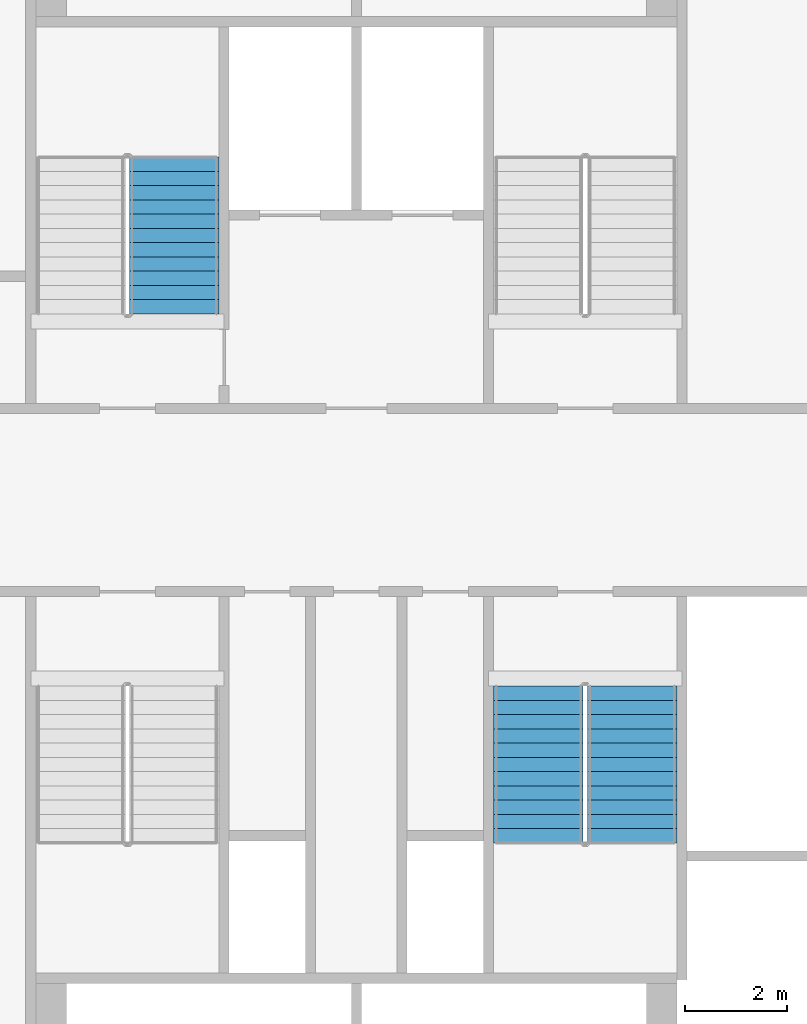
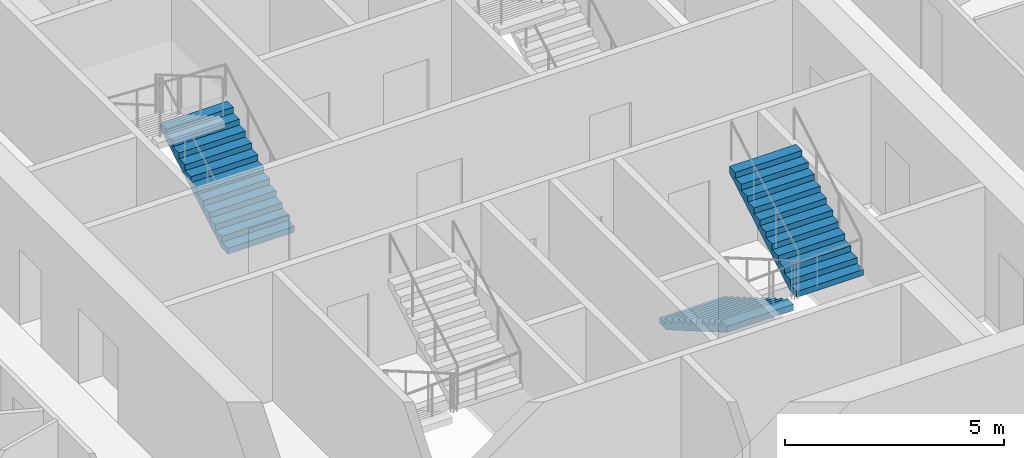
# One storey, part 9 of 11: 3 stair flights, 2 elements without a shape of their own.
"""IFC4 building model written with IfcOpenShell, lengths in metres."""

import ifcopenshell
import ifcopenshell.guid

model = None  # the IFC model being written
_history = None  # IfcOwnerHistory: only IFC2X3 demands one
_inside = {}  # id of a spatial element -> (the spatial element, [elements in it])
_under = {}  # id of a project, library or spatial element -> (it, [spatial elements below it])
_declared = {}  # id of a project -> (the project, [libraries it declares])
_typed = {}  # id of a type object -> (the type object, [elements of that type])
_made_of = {}  # id of a material, layer set ... -> (it, [elements and type objects made of it])


def new_model(schema):
    """Start an empty IFC model of exactly this schema.

    Asked for "IFC4X3", IfcOpenShell would pick the latest addendum, in which some entities
    have other attributes; the version numbers below select the first issue.
    IFC2X3 requires an IfcOwnerHistory on every rooted entity: one is made here for all.
    """
    global model, _history
    if schema == "IFC4X3":
        model = ifcopenshell.file(schema_version=(4, 3, 0, 0))
    else:
        model = ifcopenshell.file(schema=schema)
    _inside.clear()
    _under.clear()
    _declared.clear()
    _typed.clear()
    _made_of.clear()
    _history = None
    if model.schema == "IFC2X3":
        org = make("IfcOrganization", Name="unknown")
        user = make(
            "IfcPersonAndOrganization",
            ThePerson=make("IfcPerson", FamilyName="unknown"),
            TheOrganization=org,
        )
        app = make(
            "IfcApplication",
            ApplicationDeveloper=org,
            Version="unknown",
            ApplicationFullName="unknown",
            ApplicationIdentifier="unknown",
        )
        _history = make(
            "IfcOwnerHistory",
            OwningUser=user,
            OwningApplication=app,
            ChangeAction="ADDED",
            CreationDate=0,
        )
    return model


def make(cls, **values):
    """One entity of the class cls with the attributes given. An attribute that is None is left unset."""
    return model.create_entity(
        cls, **{name: value for name, value in values.items() if value is not None}
    )


def rooted(cls, **values):
    """An entity with a GlobalId (a new one), such as an element, a storey or a relation."""
    return make(cls, GlobalId=ifcopenshell.guid.new(), OwnerHistory=_history, **values)


def si_unit(unit_type, name, prefix=None):
    """IfcSIUnit, for example si_unit("LENGTHUNIT", "METRE", prefix="MILLI")."""
    return make("IfcSIUnit", UnitType=unit_type, Prefix=prefix, Name=name)


def assignment(units):
    """IfcUnitAssignment: the units of a project."""
    return None if units is None else make("IfcUnitAssignment", Units=units)


def point(xyz):
    """IfcCartesianPoint."""
    return None if xyz is None else make("IfcCartesianPoint", Coordinates=xyz)


def direction(xyz):
    """IfcDirection."""
    return None if xyz is None else make("IfcDirection", DirectionRatios=xyz)


def frame(location, z_axis=None, x_axis=None):
    """IfcAxis2Placement3D, a coordinate frame: its origin and axes. An axis left out is left unset."""
    return make(
        "IfcAxis2Placement3D",
        Location=point(location),
        Axis=direction(z_axis),
        RefDirection=direction(x_axis),
    )


def origin():
    """The frame at (0, 0, 0) with its axes left unset."""
    return frame((0.0, 0.0, 0.0))


def place(relative_to, where):
    """IfcLocalPlacement: puts the frame where relative to a parent placement (None: the world)."""
    return make(
        "IfcLocalPlacement", PlacementRelTo=relative_to, RelativePlacement=where
    )


def context(
    kind, dimensions, precision=None, world=None, true_north=None, identifier=None
):
    """IfcGeometricRepresentationContext, for example the 3D "Model" context."""
    return make(
        "IfcGeometricRepresentationContext",
        ContextIdentifier=identifier,
        ContextType=kind,
        CoordinateSpaceDimension=dimensions,
        Precision=precision,
        WorldCoordinateSystem=world,
        TrueNorth=true_north,
    )


def subcontext(parent, identifier, kind, view, scale=None):
    """IfcGeometricRepresentationSubContext, for example "Body" below "Model"."""
    return make(
        "IfcGeometricRepresentationSubContext",
        ContextIdentifier=identifier,
        ContextType=kind,
        ParentContext=parent,
        TargetScale=scale,
        TargetView=view,
    )


def project(units=None, contexts=None):
    """IfcProject with its units and contexts."""
    return rooted(
        "IfcProject",
        Name="project",
        RepresentationContexts=contexts,
        UnitsInContext=assignment(units),
    )


def spatial(cls, under=None, at=None, **own):
    """A site, building, storey or space (cls), placed at a placement, below another one or the project."""
    s = rooted(cls, ObjectPlacement=at, **own)
    if under is not None:
        _under.setdefault(under.id(), (under, []))[1].append(s)
    return s


def faces_of(points, faces, orient=None, outer=None):
    """IfcFace entities. A face is a list of loops; a loop is a list of indices into points, from 0.

    orient and outer hold one flag for each loop. By default every Orientation is true, the
    first loop of a face is its IfcFaceOuterBound and the others are IfcFaceBound.
    """
    made = []
    for i, loops in enumerate(faces):
        bounds = []
        for j, loop in enumerate(loops):
            is_outer = j == 0 if outer is None else outer[i][j]
            bounds.append(
                make(
                    "IfcFaceOuterBound" if is_outer else "IfcFaceBound",
                    Bound=make("IfcPolyLoop", Polygon=[points[k] for k in loop]),
                    Orientation=True if orient is None else orient[i][j],
                )
            )
        made.append(make("IfcFace", Bounds=bounds))
    return made


def faceted_brep(points, faces, orient=None, outer=None, voids=None):
    """IfcFacetedBrep: a solid bounded by flat faces; with voids (closed shells), ...WithVoids."""
    shared = [point(p) for p in points]
    hull = make("IfcClosedShell", CfsFaces=faces_of(shared, faces, orient, outer))
    if voids is None:
        return make("IfcFacetedBrep", Outer=hull)
    return make(
        "IfcFacetedBrepWithVoids",
        Outer=hull,
        Voids=[
            make(cls, CfsFaces=faces_of(shared, fs, o, b)) for cls, fs, o, b in voids
        ],
    )


def shape(context_of_items, identifier, shape_type, items):
    """IfcShapeRepresentation: the items that make up one representation, for example the "Body"."""
    return make(
        "IfcShapeRepresentation",
        ContextOfItems=context_of_items,
        RepresentationIdentifier=identifier,
        RepresentationType=shape_type,
        Items=items,
    )


def material(Name=None, Category=None):
    """IfcMaterial."""
    return make("IfcMaterial", Name=Name, Category=Category)


def made_of(thing, what):
    """Note that an element or type object is made of a material, layer set ...; save() writes the relation."""
    if what is not None:
        _made_of.setdefault(what.id(), (what, []))[1].append(thing)
    return thing


def type_object(cls, material=None, **own):
    """A type object (cls), such as IfcWallType, which elements share."""
    return made_of(rooted(cls, **own), material)


def element(
    cls,
    number,
    at=None,
    inside=None,
    cuts=None,
    type_object=None,
    material=None,
    context=None,
    identifier="Body",
    shape_type=None,
    held_by="IfcProductDefinitionShape",
    body=None,
    shapes=None,
    **own,
):
    """One element of the class cls, such as IfcWall. Its Tag is "e" and its number.

    at: its placement. inside: the storey or other place that contains it. cuts: it is an
    opening in that element (IfcRelVoidsElement). A single representation is given by context,
    identifier, shape_type and body (its items); several are given by shapes. held_by: the class
    of the entity that holds the representations. save() writes the other relations.
    """
    e = rooted(cls, Tag="e%d" % number, ObjectPlacement=at, **own)
    if body is not None:
        shapes = [shape(context, identifier, shape_type, body)]
    if shapes is not None:
        e.Representation = make(held_by, Representations=shapes)
    if inside is not None:
        _inside.setdefault(inside.id(), (inside, []))[1].append(e)
    if cuts is not None:
        rooted(
            "IfcRelVoidsElement", RelatingBuildingElement=cuts, RelatedOpeningElement=e
        )
    if type_object is not None:
        _typed.setdefault(type_object.id(), (type_object, []))[1].append(e)
    return made_of(e, material)


def aggregate(whole, parts):
    """IfcRelAggregates: a whole, such as a stair, and the parts it consists of."""
    return rooted("IfcRelAggregates", RelatingObject=whole, RelatedObjects=parts)


def save(model, path):
    """Write the relations noted so far, then the file.

    IfcRelAggregates (storeys below a building ...), IfcRelContainedInSpatialStructure (elements
    in a storey), IfcRelDefinesByType, IfcRelAssociatesMaterial and IfcRelDeclares: one each for
    every whole, place, type object, material and project.
    """
    for whole, parts in _under.values():
        aggregate(whole, parts)
    for where, things in _inside.values():
        rooted(
            "IfcRelContainedInSpatialStructure",
            RelatedElements=things,
            RelatingStructure=where,
        )
    for kind, things in _typed.values():
        rooted("IfcRelDefinesByType", RelatedObjects=things, RelatingType=kind)
    for what, things in _made_of.values():
        rooted("IfcRelAssociatesMaterial", RelatedObjects=things, RelatingMaterial=what)
    for by, libraries in _declared.values():
        rooted("IfcRelDeclares", RelatingContext=by, RelatedDefinitions=libraries)
    model.write(path)


model = new_model("IFC4")

# Units and contexts
model_context = context("Model", 3, precision=1e-05, world=origin(), true_north=direction((0.0, 1.0)))
body_context = subcontext(model_context, "Body", "Model", "MODEL_VIEW")
ifc_project = project(units=[si_unit("LENGTHUNIT", "METRE"), si_unit("AREAUNIT", "SQUARE_METRE"), si_unit("VOLUMEUNIT", "CUBIC_METRE"), si_unit("PLANEANGLEUNIT", "RADIAN"), si_unit("MASSUNIT", "GRAM", prefix="KILO")], contexts=[model_context])

# Site, building, storey
site_placement = place(None, origin())
site = spatial("IfcSite", under=ifc_project, at=site_placement, CompositionType="ELEMENT")
building_placement = place(site_placement, origin())
building = spatial("IfcBuilding", under=site, at=building_placement, Name="Tarsis Ring Headquarters", CompositionType="ELEMENT")
storey_placement = place(building_placement, frame((0.0, 0.0, 190.5)))
storey = spatial("IfcBuildingStorey", under=building, at=storey_placement, Name="L44", CompositionType="ELEMENT", Elevation=190.5)

# Stair, stair flight
ifc_material_1 = material(Name="Core stair 1760")
stair_type = type_object("IfcStairType", Name="Core stair 1760", PredefinedType="HALF_TURN_STAIR", material=ifc_material_1)
stair_1_placement = place(storey_placement, origin())
stair_1 = element("IfcStair", 1, at=stair_1_placement, inside=storey, type_object=stair_type, Name="L44 Firefighting stair", PredefinedType="HALF_TURN_STAIR")
ifc_material_2 = material(Name="Concrete C40/50", Category="concrete")
stair_flight_type = type_object("IfcStairFlightType", Name="Core stair flight 1760", PredefinedType="STRAIGHT", material=ifc_material_2)
stair_flight_1_placement = place(storey_placement, frame((-3.580078125, 3.659912109375, 0.0), z_axis=(0.0, 0.0, 1.0), x_axis=(0.0, 1.0, 0.0)))
stair_flight_1 = element("IfcStairFlight", 2, at=stair_flight_1_placement, type_object=stair_flight_type, Name="Stair ST1 flight 1", NumberOfRisers=12, NumberOfTreads=11, PredefinedType="STRAIGHT", RiserHeight=0.1625, TreadLength=0.28, context=body_context, shape_type="Brep", body=[
    faceted_brep([(0.0, 0.8798828125, 0.0), (0.0, 0.8798828125, 0.16259765625), (0.280029296875, 0.8798828125, 0.16259765625), (0.280029296875, 0.8798828125, 0.324951171875), (0.56005859375, 0.8798828125, 0.324951171875), (0.56005859375, 0.8798828125, 0.487548828125), (0.840087890625, 0.8798828125, 0.487548828125), (0.840087890625, 0.8798828125, 0.64990234375), (1.1201171875, 0.8798828125, 0.64990234375), (1.1201171875, 0.8798828125, 0.8125), (1.39990234375, 0.8798828125, 0.8125), (1.39990234375, 0.8798828125, 0.97509765625), (1.679931640625, 0.8798828125, 0.97509765625), (1.679931640625, 0.8798828125, 1.137451171875), (1.9599609375, 0.8798828125, 1.137451171875), (1.9599609375, 0.8798828125, 1.300048828125), (2.239990234375, 0.8798828125, 1.300048828125), (2.239990234375, 0.8798828125, 1.46240234375), (2.52001953125, 0.8798828125, 1.46240234375), (2.52001953125, 0.8798828125, 1.625), (2.800048828125, 0.8798828125, 1.625), (2.800048828125, 0.8798828125, 1.78759765625), (3.080078125, 0.8798828125, 1.78759765625), (3.080078125, 0.8798828125, 1.6142578125), (0.298583984375, 0.8798828125, 0.0), (0.298583984375, -0.8798828125, 0.0), (3.080078125, -0.8798828125, 1.6142578125), (3.080078125, -0.8798828125, 1.78759765625), (2.800048828125, -0.8798828125, 1.78759765625), (2.800048828125, -0.8798828125, 1.625), (2.52001953125, -0.8798828125, 1.625), (2.52001953125, -0.8798828125, 1.46240234375), (2.239990234375, -0.8798828125, 1.46240234375), (2.239990234375, -0.8798828125, 1.300048828125), (1.9599609375, -0.8798828125, 1.300048828125), (1.9599609375, -0.8798828125, 1.137451171875), (1.679931640625, -0.8798828125, 1.137451171875), (1.679931640625, -0.8798828125, 0.97509765625), (1.39990234375, -0.8798828125, 0.97509765625), (1.39990234375, -0.8798828125, 0.8125), (1.1201171875, -0.8798828125, 0.8125), (1.1201171875, -0.8798828125, 0.64990234375), (0.840087890625, -0.8798828125, 0.64990234375), (0.840087890625, -0.8798828125, 0.487548828125), (0.56005859375, -0.8798828125, 0.487548828125), (0.56005859375, -0.8798828125, 0.324951171875), (0.280029296875, -0.8798828125, 0.324951171875), (0.280029296875, -0.8798828125, 0.16259765625), (0.0, -0.8798828125, 0.16259765625), (0.0, -0.8798828125, 0.0), (0.0, -0.43994140625, 0.16259765625), (0.0, -0.43994140625, 0.0), (0.0, 0.0, 0.16259765625), (0.0, 0.0, 0.0), (0.0, 0.43994140625, 0.16259765625), (0.0, 0.43994140625, 0.0), (0.280029296875, -0.43994140625, 0.16259765625), (0.280029296875, 0.0, 0.16259765625), (0.280029296875, 0.43994140625, 0.16259765625), (0.280029296875, -0.43994140625, 0.324951171875), (0.280029296875, 0.0, 0.324951171875), (0.280029296875, 0.43994140625, 0.324951171875), (0.56005859375, -0.43994140625, 0.324951171875), (0.56005859375, 0.0, 0.324951171875), (0.56005859375, 0.43994140625, 0.324951171875), (0.56005859375, -0.43994140625, 0.487548828125), (0.56005859375, 0.0, 0.487548828125), (0.56005859375, 0.43994140625, 0.487548828125), (0.840087890625, -0.43994140625, 0.487548828125), (0.840087890625, 0.0, 0.487548828125), (0.840087890625, 0.43994140625, 0.487548828125), (0.840087890625, -0.43994140625, 0.64990234375), (0.840087890625, 0.0, 0.64990234375), (0.840087890625, 0.43994140625, 0.64990234375), (1.1201171875, -0.43994140625, 0.64990234375), (1.1201171875, 0.0, 0.64990234375), (1.1201171875, 0.43994140625, 0.64990234375), (1.1201171875, -0.43994140625, 0.8125), (1.1201171875, 0.0, 0.8125), (1.1201171875, 0.43994140625, 0.8125), (1.39990234375, -0.43994140625, 0.8125), (1.39990234375, 0.0, 0.8125), (1.39990234375, 0.43994140625, 0.8125), (1.39990234375, -0.43994140625, 0.97509765625), (1.39990234375, 0.0, 0.97509765625), (1.39990234375, 0.43994140625, 0.97509765625), (1.679931640625, -0.43994140625, 0.97509765625), (1.679931640625, 0.0, 0.97509765625), (1.679931640625, 0.43994140625, 0.97509765625), (1.679931640625, -0.43994140625, 1.137451171875), (1.679931640625, 0.0, 1.137451171875), (1.679931640625, 0.43994140625, 1.137451171875), (1.9599609375, -0.43994140625, 1.137451171875), (1.9599609375, 0.0, 1.137451171875), (1.9599609375, 0.43994140625, 1.137451171875), (1.9599609375, -0.43994140625, 1.300048828125), (1.9599609375, 0.0, 1.300048828125), (1.9599609375, 0.43994140625, 1.300048828125), (2.239990234375, -0.43994140625, 1.300048828125), (2.239990234375, 0.0, 1.300048828125), (2.239990234375, 0.43994140625, 1.300048828125), (2.239990234375, -0.43994140625, 1.46240234375), (2.239990234375, 0.0, 1.46240234375), (2.239990234375, 0.43994140625, 1.46240234375), (2.52001953125, -0.43994140625, 1.46240234375), (2.52001953125, 0.0, 1.46240234375), (2.52001953125, 0.43994140625, 1.46240234375), (2.52001953125, -0.43994140625, 1.625), (2.52001953125, 0.0, 1.625), (2.52001953125, 0.43994140625, 1.625), (2.800048828125, -0.43994140625, 1.625), (2.800048828125, 0.0, 1.625), (2.800048828125, 0.43994140625, 1.625), (2.800048828125, -0.43994140625, 1.78759765625), (2.800048828125, 0.0, 1.78759765625), (2.800048828125, 0.43994140625, 1.78759765625), (3.080078125, -0.43994140625, 1.78759765625), (3.080078125, 0.0, 1.78759765625), (3.080078125, 0.43994140625, 1.78759765625), (3.080078125, -0.43994140625, 1.6142578125), (3.080078125, 0.0, 1.6142578125), (3.080078125, 0.43994140625, 1.6142578125), (0.298583984375, -0.43994140625, 0.0), (0.298583984375, 0.0, 0.0), (0.298583984375, 0.43994140625, 0.0)], [[[0, 1, 2, 3, 4, 5, 6, 7, 8, 9, 10, 11, 12, 13, 14, 15, 16, 17, 18, 19, 20, 21, 22, 23, 24]], [[25, 26, 27, 28, 29, 30, 31, 32, 33, 34, 35, 36, 37, 38, 39, 40, 41, 42, 43, 44, 45, 46, 47, 48, 49]], [[49, 48, 50, 51]], [[51, 50, 52, 53]], [[53, 52, 54, 55]], [[55, 54, 1, 0]], [[48, 47, 56, 50]], [[50, 56, 57, 52]], [[52, 57, 58, 54]], [[54, 58, 2, 1]], [[47, 46, 59, 56]], [[56, 59, 60, 57]], [[57, 60, 61, 58]], [[58, 61, 3, 2]], [[46, 45, 62, 59]], [[59, 62, 63, 60]], [[60, 63, 64, 61]], [[61, 64, 4, 3]], [[45, 44, 65, 62]], [[62, 65, 66, 63]], [[63, 66, 67, 64]], [[64, 67, 5, 4]], [[44, 43, 68, 65]], [[65, 68, 69, 66]], [[66, 69, 70, 67]], [[67, 70, 6, 5]], [[43, 42, 71, 68]], [[68, 71, 72, 69]], [[69, 72, 73, 70]], [[70, 73, 7, 6]], [[42, 41, 74, 71]], [[71, 74, 75, 72]], [[72, 75, 76, 73]], [[73, 76, 8, 7]], [[41, 40, 77, 74]], [[74, 77, 78, 75]], [[75, 78, 79, 76]], [[76, 79, 9, 8]], [[40, 39, 80, 77]], [[77, 80, 81, 78]], [[78, 81, 82, 79]], [[79, 82, 10, 9]], [[39, 38, 83, 80]], [[80, 83, 84, 81]], [[81, 84, 85, 82]], [[82, 85, 11, 10]], [[38, 37, 86, 83]], [[83, 86, 87, 84]], [[84, 87, 88, 85]], [[85, 88, 12, 11]], [[37, 36, 89, 86]], [[86, 89, 90, 87]], [[87, 90, 91, 88]], [[88, 91, 13, 12]], [[36, 35, 92, 89]], [[89, 92, 93, 90]], [[90, 93, 94, 91]], [[91, 94, 14, 13]], [[35, 34, 95, 92]], [[92, 95, 96, 93]], [[93, 96, 97, 94]], [[94, 97, 15, 14]], [[34, 33, 98, 95]], [[95, 98, 99, 96]], [[96, 99, 100, 97]], [[97, 100, 16, 15]], [[33, 32, 101, 98]], [[98, 101, 102, 99]], [[99, 102, 103, 100]], [[100, 103, 17, 16]], [[32, 31, 104, 101]], [[101, 104, 105, 102]], [[102, 105, 106, 103]], [[103, 106, 18, 17]], [[31, 30, 107, 104]], [[104, 107, 108, 105]], [[105, 108, 109, 106]], [[106, 109, 19, 18]], [[30, 29, 110, 107]], [[107, 110, 111, 108]], [[108, 111, 112, 109]], [[109, 112, 20, 19]], [[29, 28, 113, 110]], [[110, 113, 114, 111]], [[111, 114, 115, 112]], [[112, 115, 21, 20]], [[28, 27, 116, 113]], [[113, 116, 117, 114]], [[114, 117, 118, 115]], [[115, 118, 22, 21]], [[27, 26, 119, 116]], [[116, 119, 120, 117]], [[117, 120, 121, 118]], [[118, 121, 23, 22]], [[26, 25, 122, 119]], [[119, 122, 123, 120]], [[120, 123, 124, 121]], [[121, 124, 24, 23]], [[25, 49, 51, 122]], [[122, 51, 53, 123]], [[123, 53, 55, 124]], [[124, 55, 0, 24]]]),
])
aggregate(stair_1, [stair_flight_1])

# Stair, stair flights
stair_2_placement = place(storey_placement, origin())
stair_2 = element("IfcStair", 3, at=stair_2_placement, inside=storey, type_object=stair_type, Name="L44 Exit stair D", PredefinedType="HALF_TURN_STAIR")
stair_flight_2_placement = place(storey_placement, frame((3.580078125, -3.659912109375, 0.0), z_axis=(0.0, 0.0, 1.0), x_axis=(0.0, -1.0, 0.0)))
stair_flight_2 = element("IfcStairFlight", 4, at=stair_flight_2_placement, type_object=stair_flight_type, Name="Stair ST4 flight 1", NumberOfRisers=12, NumberOfTreads=11, PredefinedType="STRAIGHT", RiserHeight=0.1625, TreadLength=0.28, context=body_context, shape_type="Brep", body=[
    faceted_brep([(0.0, 0.8798828125, 0.0), (0.0, 0.8798828125, 0.16259765625), (0.280029296875, 0.8798828125, 0.16259765625), (0.280029296875, 0.8798828125, 0.324951171875), (0.56005859375, 0.8798828125, 0.324951171875), (0.56005859375, 0.8798828125, 0.487548828125), (0.840087890625, 0.8798828125, 0.487548828125), (0.840087890625, 0.8798828125, 0.64990234375), (1.1201171875, 0.8798828125, 0.64990234375), (1.1201171875, 0.8798828125, 0.8125), (1.39990234375, 0.8798828125, 0.8125), (1.39990234375, 0.8798828125, 0.97509765625), (1.679931640625, 0.8798828125, 0.97509765625), (1.679931640625, 0.8798828125, 1.137451171875), (1.9599609375, 0.8798828125, 1.137451171875), (1.9599609375, 0.8798828125, 1.300048828125), (2.239990234375, 0.8798828125, 1.300048828125), (2.239990234375, 0.8798828125, 1.46240234375), (2.52001953125, 0.8798828125, 1.46240234375), (2.52001953125, 0.8798828125, 1.625), (2.800048828125, 0.8798828125, 1.625), (2.800048828125, 0.8798828125, 1.78759765625), (3.080078125, 0.8798828125, 1.78759765625), (3.080078125, 0.8798828125, 1.6142578125), (0.298583984375, 0.8798828125, 0.0), (0.298583984375, -0.8798828125, 0.0), (3.080078125, -0.8798828125, 1.6142578125), (3.080078125, -0.8798828125, 1.78759765625), (2.800048828125, -0.8798828125, 1.78759765625), (2.800048828125, -0.8798828125, 1.625), (2.52001953125, -0.8798828125, 1.625), (2.52001953125, -0.8798828125, 1.46240234375), (2.239990234375, -0.8798828125, 1.46240234375), (2.239990234375, -0.8798828125, 1.300048828125), (1.9599609375, -0.8798828125, 1.300048828125), (1.9599609375, -0.8798828125, 1.137451171875), (1.679931640625, -0.8798828125, 1.137451171875), (1.679931640625, -0.8798828125, 0.97509765625), (1.39990234375, -0.8798828125, 0.97509765625), (1.39990234375, -0.8798828125, 0.8125), (1.1201171875, -0.8798828125, 0.8125), (1.1201171875, -0.8798828125, 0.64990234375), (0.840087890625, -0.8798828125, 0.64990234375), (0.840087890625, -0.8798828125, 0.487548828125), (0.56005859375, -0.8798828125, 0.487548828125), (0.56005859375, -0.8798828125, 0.324951171875), (0.280029296875, -0.8798828125, 0.324951171875), (0.280029296875, -0.8798828125, 0.16259765625), (0.0, -0.8798828125, 0.16259765625), (0.0, -0.8798828125, 0.0), (0.0, -0.43994140625, 0.16259765625), (0.0, -0.43994140625, 0.0), (0.0, 0.0, 0.16259765625), (0.0, 0.0, 0.0), (0.0, 0.43994140625, 0.16259765625), (0.0, 0.43994140625, 0.0), (0.280029296875, -0.43994140625, 0.16259765625), (0.280029296875, 0.0, 0.16259765625), (0.280029296875, 0.43994140625, 0.16259765625), (0.280029296875, -0.43994140625, 0.324951171875), (0.280029296875, 0.0, 0.324951171875), (0.280029296875, 0.43994140625, 0.324951171875), (0.56005859375, -0.43994140625, 0.324951171875), (0.56005859375, 0.0, 0.324951171875), (0.56005859375, 0.43994140625, 0.324951171875), (0.56005859375, -0.43994140625, 0.487548828125), (0.56005859375, 0.0, 0.487548828125), (0.56005859375, 0.43994140625, 0.487548828125), (0.840087890625, -0.43994140625, 0.487548828125), (0.840087890625, 0.0, 0.487548828125), (0.840087890625, 0.43994140625, 0.487548828125), (0.840087890625, -0.43994140625, 0.64990234375), (0.840087890625, 0.0, 0.64990234375), (0.840087890625, 0.43994140625, 0.64990234375), (1.1201171875, -0.43994140625, 0.64990234375), (1.1201171875, 0.0, 0.64990234375), (1.1201171875, 0.43994140625, 0.64990234375), (1.1201171875, -0.43994140625, 0.8125), (1.1201171875, 0.0, 0.8125), (1.1201171875, 0.43994140625, 0.8125), (1.39990234375, -0.43994140625, 0.8125), (1.39990234375, 0.0, 0.8125), (1.39990234375, 0.43994140625, 0.8125), (1.39990234375, -0.43994140625, 0.97509765625), (1.39990234375, 0.0, 0.97509765625), (1.39990234375, 0.43994140625, 0.97509765625), (1.679931640625, -0.43994140625, 0.97509765625), (1.679931640625, 0.0, 0.97509765625), (1.679931640625, 0.43994140625, 0.97509765625), (1.679931640625, -0.43994140625, 1.137451171875), (1.679931640625, 0.0, 1.137451171875), (1.679931640625, 0.43994140625, 1.137451171875), (1.9599609375, -0.43994140625, 1.137451171875), (1.9599609375, 0.0, 1.137451171875), (1.9599609375, 0.43994140625, 1.137451171875), (1.9599609375, -0.43994140625, 1.300048828125), (1.9599609375, 0.0, 1.300048828125), (1.9599609375, 0.43994140625, 1.300048828125), (2.239990234375, -0.43994140625, 1.300048828125), (2.239990234375, 0.0, 1.300048828125), (2.239990234375, 0.43994140625, 1.300048828125), (2.239990234375, -0.43994140625, 1.46240234375), (2.239990234375, 0.0, 1.46240234375), (2.239990234375, 0.43994140625, 1.46240234375), (2.52001953125, -0.43994140625, 1.46240234375), (2.52001953125, 0.0, 1.46240234375), (2.52001953125, 0.43994140625, 1.46240234375), (2.52001953125, -0.43994140625, 1.625), (2.52001953125, 0.0, 1.625), (2.52001953125, 0.43994140625, 1.625), (2.800048828125, -0.43994140625, 1.625), (2.800048828125, 0.0, 1.625), (2.800048828125, 0.43994140625, 1.625), (2.800048828125, -0.43994140625, 1.78759765625), (2.800048828125, 0.0, 1.78759765625), (2.800048828125, 0.43994140625, 1.78759765625), (3.080078125, -0.43994140625, 1.78759765625), (3.080078125, 0.0, 1.78759765625), (3.080078125, 0.43994140625, 1.78759765625), (3.080078125, -0.43994140625, 1.6142578125), (3.080078125, 0.0, 1.6142578125), (3.080078125, 0.43994140625, 1.6142578125), (0.298583984375, -0.43994140625, 0.0), (0.298583984375, 0.0, 0.0), (0.298583984375, 0.43994140625, 0.0)], [[[0, 1, 2, 3, 4, 5, 6, 7, 8, 9, 10, 11, 12, 13, 14, 15, 16, 17, 18, 19, 20, 21, 22, 23, 24]], [[25, 26, 27, 28, 29, 30, 31, 32, 33, 34, 35, 36, 37, 38, 39, 40, 41, 42, 43, 44, 45, 46, 47, 48, 49]], [[49, 48, 50, 51]], [[51, 50, 52, 53]], [[53, 52, 54, 55]], [[55, 54, 1, 0]], [[48, 47, 56, 50]], [[50, 56, 57, 52]], [[52, 57, 58, 54]], [[54, 58, 2, 1]], [[47, 46, 59, 56]], [[56, 59, 60, 57]], [[57, 60, 61, 58]], [[58, 61, 3, 2]], [[46, 45, 62, 59]], [[59, 62, 63, 60]], [[60, 63, 64, 61]], [[61, 64, 4, 3]], [[45, 44, 65, 62]], [[62, 65, 66, 63]], [[63, 66, 67, 64]], [[64, 67, 5, 4]], [[44, 43, 68, 65]], [[65, 68, 69, 66]], [[66, 69, 70, 67]], [[67, 70, 6, 5]], [[43, 42, 71, 68]], [[68, 71, 72, 69]], [[69, 72, 73, 70]], [[70, 73, 7, 6]], [[42, 41, 74, 71]], [[71, 74, 75, 72]], [[72, 75, 76, 73]], [[73, 76, 8, 7]], [[41, 40, 77, 74]], [[74, 77, 78, 75]], [[75, 78, 79, 76]], [[76, 79, 9, 8]], [[40, 39, 80, 77]], [[77, 80, 81, 78]], [[78, 81, 82, 79]], [[79, 82, 10, 9]], [[39, 38, 83, 80]], [[80, 83, 84, 81]], [[81, 84, 85, 82]], [[82, 85, 11, 10]], [[38, 37, 86, 83]], [[83, 86, 87, 84]], [[84, 87, 88, 85]], [[85, 88, 12, 11]], [[37, 36, 89, 86]], [[86, 89, 90, 87]], [[87, 90, 91, 88]], [[88, 91, 13, 12]], [[36, 35, 92, 89]], [[89, 92, 93, 90]], [[90, 93, 94, 91]], [[91, 94, 14, 13]], [[35, 34, 95, 92]], [[92, 95, 96, 93]], [[93, 96, 97, 94]], [[94, 97, 15, 14]], [[34, 33, 98, 95]], [[95, 98, 99, 96]], [[96, 99, 100, 97]], [[97, 100, 16, 15]], [[33, 32, 101, 98]], [[98, 101, 102, 99]], [[99, 102, 103, 100]], [[100, 103, 17, 16]], [[32, 31, 104, 101]], [[101, 104, 105, 102]], [[102, 105, 106, 103]], [[103, 106, 18, 17]], [[31, 30, 107, 104]], [[104, 107, 108, 105]], [[105, 108, 109, 106]], [[106, 109, 19, 18]], [[30, 29, 110, 107]], [[107, 110, 111, 108]], [[108, 111, 112, 109]], [[109, 112, 20, 19]], [[29, 28, 113, 110]], [[110, 113, 114, 111]], [[111, 114, 115, 112]], [[112, 115, 21, 20]], [[28, 27, 116, 113]], [[113, 116, 117, 114]], [[114, 117, 118, 115]], [[115, 118, 22, 21]], [[27, 26, 119, 116]], [[116, 119, 120, 117]], [[117, 120, 121, 118]], [[118, 121, 23, 22]], [[26, 25, 122, 119]], [[119, 122, 123, 120]], [[120, 123, 124, 121]], [[121, 124, 24, 23]], [[25, 49, 51, 122]], [[122, 51, 53, 123]], [[123, 53, 55, 124]], [[124, 55, 0, 24]]]),
])
stair_flight_3_placement = place(storey_placement, frame((5.419921875, -6.739990234375, 1.949951171875), z_axis=(0.0, 0.0, 1.0), x_axis=(0.0, 1.0, 0.0)))
stair_flight_3 = element("IfcStairFlight", 5, at=stair_flight_3_placement, type_object=stair_flight_type, Name="Stair ST4 flight 2", NumberOfRisers=12, NumberOfTreads=11, PredefinedType="STRAIGHT", RiserHeight=0.1625, TreadLength=0.28, context=body_context, shape_type="Brep", body=[
    faceted_brep([(0.0, 0.8798828125, 0.0), (0.0, 0.8798828125, 0.16259765625), (0.280029296875, 0.8798828125, 0.16259765625), (0.280029296875, 0.8798828125, 0.324951171875), (0.56005859375, 0.8798828125, 0.324951171875), (0.56005859375, 0.8798828125, 0.487548828125), (0.840087890625, 0.8798828125, 0.487548828125), (0.840087890625, 0.8798828125, 0.64990234375), (1.1201171875, 0.8798828125, 0.64990234375), (1.1201171875, 0.8798828125, 0.8125), (1.39990234375, 0.8798828125, 0.8125), (1.39990234375, 0.8798828125, 0.97509765625), (1.679931640625, 0.8798828125, 0.97509765625), (1.679931640625, 0.8798828125, 1.137451171875), (1.9599609375, 0.8798828125, 1.137451171875), (1.9599609375, 0.8798828125, 1.300048828125), (2.239990234375, 0.8798828125, 1.300048828125), (2.239990234375, 0.8798828125, 1.46240234375), (2.52001953125, 0.8798828125, 1.46240234375), (2.52001953125, 0.8798828125, 1.625), (2.800048828125, 0.8798828125, 1.625), (2.800048828125, 0.8798828125, 1.78759765625), (3.080078125, 0.8798828125, 1.78759765625), (3.080078125, 0.8798828125, 1.6142578125), (0.298583984375, 0.8798828125, 0.0), (0.298583984375, -0.8798828125, 0.0), (3.080078125, -0.8798828125, 1.6142578125), (3.080078125, -0.8798828125, 1.78759765625), (2.800048828125, -0.8798828125, 1.78759765625), (2.800048828125, -0.8798828125, 1.625), (2.52001953125, -0.8798828125, 1.625), (2.52001953125, -0.8798828125, 1.46240234375), (2.239990234375, -0.8798828125, 1.46240234375), (2.239990234375, -0.8798828125, 1.300048828125), (1.9599609375, -0.8798828125, 1.300048828125), (1.9599609375, -0.8798828125, 1.137451171875), (1.679931640625, -0.8798828125, 1.137451171875), (1.679931640625, -0.8798828125, 0.97509765625), (1.39990234375, -0.8798828125, 0.97509765625), (1.39990234375, -0.8798828125, 0.8125), (1.1201171875, -0.8798828125, 0.8125), (1.1201171875, -0.8798828125, 0.64990234375), (0.840087890625, -0.8798828125, 0.64990234375), (0.840087890625, -0.8798828125, 0.487548828125), (0.56005859375, -0.8798828125, 0.487548828125), (0.56005859375, -0.8798828125, 0.324951171875), (0.280029296875, -0.8798828125, 0.324951171875), (0.280029296875, -0.8798828125, 0.16259765625), (0.0, -0.8798828125, 0.16259765625), (0.0, -0.8798828125, 0.0), (0.0, -0.43994140625, 0.16259765625), (0.0, -0.43994140625, 0.0), (0.0, 0.0, 0.16259765625), (0.0, 0.0, 0.0), (0.0, 0.43994140625, 0.16259765625), (0.0, 0.43994140625, 0.0), (0.280029296875, -0.43994140625, 0.16259765625), (0.280029296875, 0.0, 0.16259765625), (0.280029296875, 0.43994140625, 0.16259765625), (0.280029296875, -0.43994140625, 0.324951171875), (0.280029296875, 0.0, 0.324951171875), (0.280029296875, 0.43994140625, 0.324951171875), (0.56005859375, -0.43994140625, 0.324951171875), (0.56005859375, 0.0, 0.324951171875), (0.56005859375, 0.43994140625, 0.324951171875), (0.56005859375, -0.43994140625, 0.487548828125), (0.56005859375, 0.0, 0.487548828125), (0.56005859375, 0.43994140625, 0.487548828125), (0.840087890625, -0.43994140625, 0.487548828125), (0.840087890625, 0.0, 0.487548828125), (0.840087890625, 0.43994140625, 0.487548828125), (0.840087890625, -0.43994140625, 0.64990234375), (0.840087890625, 0.0, 0.64990234375), (0.840087890625, 0.43994140625, 0.64990234375), (1.1201171875, -0.43994140625, 0.64990234375), (1.1201171875, 0.0, 0.64990234375), (1.1201171875, 0.43994140625, 0.64990234375), (1.1201171875, -0.43994140625, 0.8125), (1.1201171875, 0.0, 0.8125), (1.1201171875, 0.43994140625, 0.8125), (1.39990234375, -0.43994140625, 0.8125), (1.39990234375, 0.0, 0.8125), (1.39990234375, 0.43994140625, 0.8125), (1.39990234375, -0.43994140625, 0.97509765625), (1.39990234375, 0.0, 0.97509765625), (1.39990234375, 0.43994140625, 0.97509765625), (1.679931640625, -0.43994140625, 0.97509765625), (1.679931640625, 0.0, 0.97509765625), (1.679931640625, 0.43994140625, 0.97509765625), (1.679931640625, -0.43994140625, 1.137451171875), (1.679931640625, 0.0, 1.137451171875), (1.679931640625, 0.43994140625, 1.137451171875), (1.9599609375, -0.43994140625, 1.137451171875), (1.9599609375, 0.0, 1.137451171875), (1.9599609375, 0.43994140625, 1.137451171875), (1.9599609375, -0.43994140625, 1.300048828125), (1.9599609375, 0.0, 1.300048828125), (1.9599609375, 0.43994140625, 1.300048828125), (2.239990234375, -0.43994140625, 1.300048828125), (2.239990234375, 0.0, 1.300048828125), (2.239990234375, 0.43994140625, 1.300048828125), (2.239990234375, -0.43994140625, 1.46240234375), (2.239990234375, 0.0, 1.46240234375), (2.239990234375, 0.43994140625, 1.46240234375), (2.52001953125, -0.43994140625, 1.46240234375), (2.52001953125, 0.0, 1.46240234375), (2.52001953125, 0.43994140625, 1.46240234375), (2.52001953125, -0.43994140625, 1.625), (2.52001953125, 0.0, 1.625), (2.52001953125, 0.43994140625, 1.625), (2.800048828125, -0.43994140625, 1.625), (2.800048828125, 0.0, 1.625), (2.800048828125, 0.43994140625, 1.625), (2.800048828125, -0.43994140625, 1.78759765625), (2.800048828125, 0.0, 1.78759765625), (2.800048828125, 0.43994140625, 1.78759765625), (3.080078125, -0.43994140625, 1.78759765625), (3.080078125, 0.0, 1.78759765625), (3.080078125, 0.43994140625, 1.78759765625), (3.080078125, -0.43994140625, 1.6142578125), (3.080078125, 0.0, 1.6142578125), (3.080078125, 0.43994140625, 1.6142578125), (0.298583984375, -0.43994140625, 0.0), (0.298583984375, 0.0, 0.0), (0.298583984375, 0.43994140625, 0.0)], [[[0, 1, 2, 3, 4, 5, 6, 7, 8, 9, 10, 11, 12, 13, 14, 15, 16, 17, 18, 19, 20, 21, 22, 23, 24]], [[25, 26, 27, 28, 29, 30, 31, 32, 33, 34, 35, 36, 37, 38, 39, 40, 41, 42, 43, 44, 45, 46, 47, 48, 49]], [[49, 48, 50, 51]], [[51, 50, 52, 53]], [[53, 52, 54, 55]], [[55, 54, 1, 0]], [[48, 47, 56, 50]], [[50, 56, 57, 52]], [[52, 57, 58, 54]], [[54, 58, 2, 1]], [[47, 46, 59, 56]], [[56, 59, 60, 57]], [[57, 60, 61, 58]], [[58, 61, 3, 2]], [[46, 45, 62, 59]], [[59, 62, 63, 60]], [[60, 63, 64, 61]], [[61, 64, 4, 3]], [[45, 44, 65, 62]], [[62, 65, 66, 63]], [[63, 66, 67, 64]], [[64, 67, 5, 4]], [[44, 43, 68, 65]], [[65, 68, 69, 66]], [[66, 69, 70, 67]], [[67, 70, 6, 5]], [[43, 42, 71, 68]], [[68, 71, 72, 69]], [[69, 72, 73, 70]], [[70, 73, 7, 6]], [[42, 41, 74, 71]], [[71, 74, 75, 72]], [[72, 75, 76, 73]], [[73, 76, 8, 7]], [[41, 40, 77, 74]], [[74, 77, 78, 75]], [[75, 78, 79, 76]], [[76, 79, 9, 8]], [[40, 39, 80, 77]], [[77, 80, 81, 78]], [[78, 81, 82, 79]], [[79, 82, 10, 9]], [[39, 38, 83, 80]], [[80, 83, 84, 81]], [[81, 84, 85, 82]], [[82, 85, 11, 10]], [[38, 37, 86, 83]], [[83, 86, 87, 84]], [[84, 87, 88, 85]], [[85, 88, 12, 11]], [[37, 36, 89, 86]], [[86, 89, 90, 87]], [[87, 90, 91, 88]], [[88, 91, 13, 12]], [[36, 35, 92, 89]], [[89, 92, 93, 90]], [[90, 93, 94, 91]], [[91, 94, 14, 13]], [[35, 34, 95, 92]], [[92, 95, 96, 93]], [[93, 96, 97, 94]], [[94, 97, 15, 14]], [[34, 33, 98, 95]], [[95, 98, 99, 96]], [[96, 99, 100, 97]], [[97, 100, 16, 15]], [[33, 32, 101, 98]], [[98, 101, 102, 99]], [[99, 102, 103, 100]], [[100, 103, 17, 16]], [[32, 31, 104, 101]], [[101, 104, 105, 102]], [[102, 105, 106, 103]], [[103, 106, 18, 17]], [[31, 30, 107, 104]], [[104, 107, 108, 105]], [[105, 108, 109, 106]], [[106, 109, 19, 18]], [[30, 29, 110, 107]], [[107, 110, 111, 108]], [[108, 111, 112, 109]], [[109, 112, 20, 19]], [[29, 28, 113, 110]], [[110, 113, 114, 111]], [[111, 114, 115, 112]], [[112, 115, 21, 20]], [[28, 27, 116, 113]], [[113, 116, 117, 114]], [[114, 117, 118, 115]], [[115, 118, 22, 21]], [[27, 26, 119, 116]], [[116, 119, 120, 117]], [[117, 120, 121, 118]], [[118, 121, 23, 22]], [[26, 25, 122, 119]], [[119, 122, 123, 120]], [[120, 123, 124, 121]], [[121, 124, 24, 23]], [[25, 49, 51, 122]], [[122, 51, 53, 123]], [[123, 53, 55, 124]], [[124, 55, 0, 24]]]),
])
aggregate(stair_2, [stair_flight_2, stair_flight_3])

save(model, "model.ifc")
